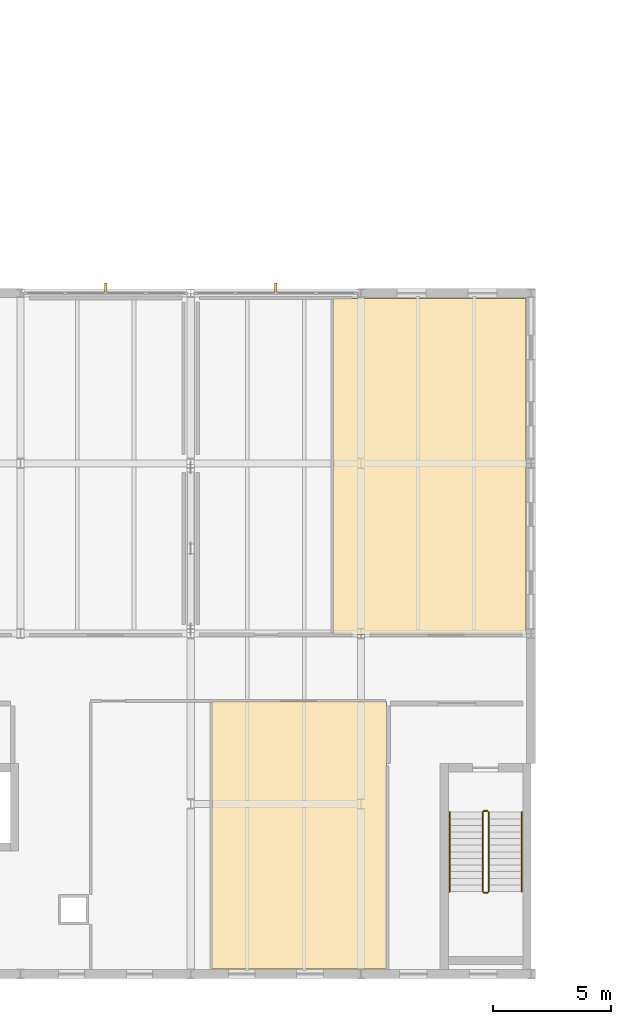
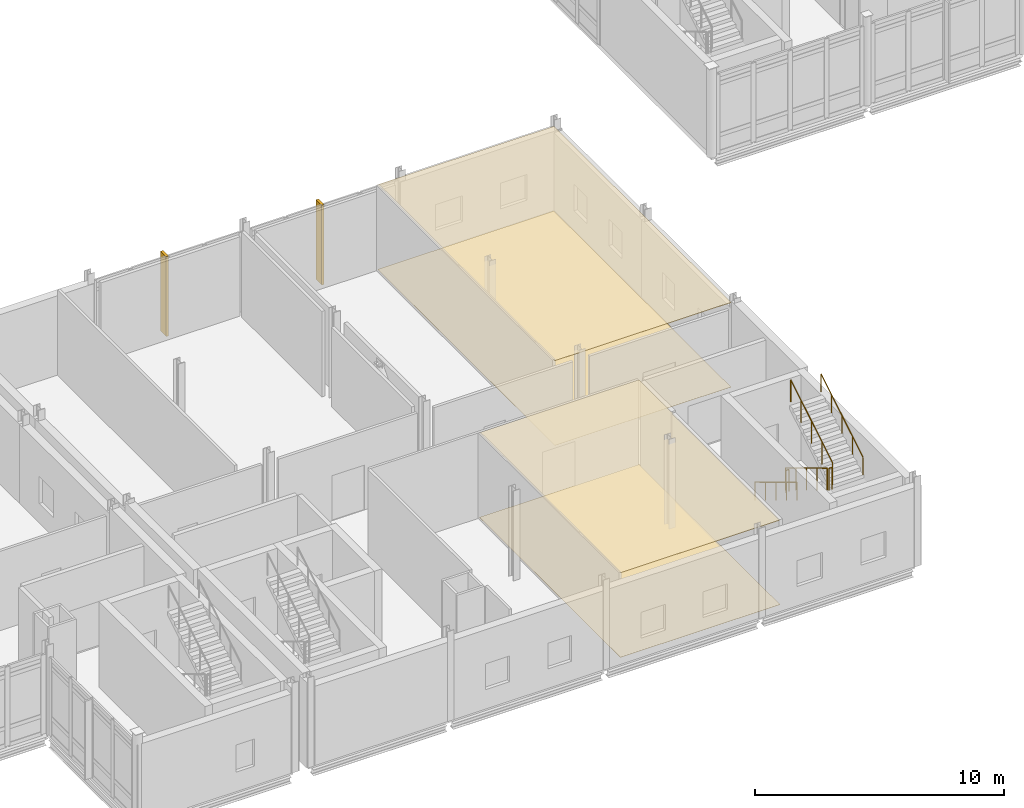
# One storey, part 69 of 76: 6 railings, 4 coverings, 2 shading devices.
"""IFC4 building model written with IfcOpenShell, lengths in metres."""

import ifcopenshell
import ifcopenshell.guid

model = None  # the IFC model being written
_history = None  # IfcOwnerHistory: only IFC2X3 demands one
_inside = {}  # id of a spatial element -> (the spatial element, [elements in it])
_under = {}  # id of a project, library or spatial element -> (it, [spatial elements below it])
_declared = {}  # id of a project -> (the project, [libraries it declares])
_typed = {}  # id of a type object -> (the type object, [elements of that type])
_made_of = {}  # id of a material, layer set ... -> (it, [elements and type objects made of it])


def new_model(schema):
    """Start an empty IFC model of exactly this schema.

    Asked for "IFC4X3", IfcOpenShell would pick the latest addendum, in which some entities
    have other attributes; the version numbers below select the first issue.
    IFC2X3 requires an IfcOwnerHistory on every rooted entity: one is made here for all.
    """
    global model, _history
    if schema == "IFC4X3":
        model = ifcopenshell.file(schema_version=(4, 3, 0, 0))
    else:
        model = ifcopenshell.file(schema=schema)
    _inside.clear()
    _under.clear()
    _declared.clear()
    _typed.clear()
    _made_of.clear()
    _history = None
    if model.schema == "IFC2X3":
        org = make("IfcOrganization", Name="unknown")
        user = make(
            "IfcPersonAndOrganization",
            ThePerson=make("IfcPerson", FamilyName="unknown"),
            TheOrganization=org,
        )
        app = make(
            "IfcApplication",
            ApplicationDeveloper=org,
            Version="unknown",
            ApplicationFullName="unknown",
            ApplicationIdentifier="unknown",
        )
        _history = make(
            "IfcOwnerHistory",
            OwningUser=user,
            OwningApplication=app,
            ChangeAction="ADDED",
            CreationDate=0,
        )
    return model


def make(cls, **values):
    """One entity of the class cls with the attributes given. An attribute that is None is left unset."""
    return model.create_entity(
        cls, **{name: value for name, value in values.items() if value is not None}
    )


def rooted(cls, **values):
    """An entity with a GlobalId (a new one), such as an element, a storey or a relation."""
    return make(cls, GlobalId=ifcopenshell.guid.new(), OwnerHistory=_history, **values)


def si_unit(unit_type, name, prefix=None):
    """IfcSIUnit, for example si_unit("LENGTHUNIT", "METRE", prefix="MILLI")."""
    return make("IfcSIUnit", UnitType=unit_type, Prefix=prefix, Name=name)


def assignment(units):
    """IfcUnitAssignment: the units of a project."""
    return None if units is None else make("IfcUnitAssignment", Units=units)


def point(xyz):
    """IfcCartesianPoint."""
    return None if xyz is None else make("IfcCartesianPoint", Coordinates=xyz)


def direction(xyz):
    """IfcDirection."""
    return None if xyz is None else make("IfcDirection", DirectionRatios=xyz)


def frame(location, z_axis=None, x_axis=None):
    """IfcAxis2Placement3D, a coordinate frame: its origin and axes. An axis left out is left unset."""
    return make(
        "IfcAxis2Placement3D",
        Location=point(location),
        Axis=direction(z_axis),
        RefDirection=direction(x_axis),
    )


def frame_2d(location, x_axis=None):
    """IfcAxis2Placement2D, a coordinate frame in the plane: its origin and x axis."""
    return make(
        "IfcAxis2Placement2D", Location=point(location), RefDirection=direction(x_axis)
    )


def origin():
    """The frame at (0, 0, 0) with its axes left unset."""
    return frame((0.0, 0.0, 0.0))


def origin_2d():
    """The frame at (0, 0) in the plane with its x axis left unset."""
    return frame_2d((0.0, 0.0))


def place(relative_to, where):
    """IfcLocalPlacement: puts the frame where relative to a parent placement (None: the world)."""
    return make(
        "IfcLocalPlacement", PlacementRelTo=relative_to, RelativePlacement=where
    )


def context(
    kind, dimensions, precision=None, world=None, true_north=None, identifier=None
):
    """IfcGeometricRepresentationContext, for example the 3D "Model" context."""
    return make(
        "IfcGeometricRepresentationContext",
        ContextIdentifier=identifier,
        ContextType=kind,
        CoordinateSpaceDimension=dimensions,
        Precision=precision,
        WorldCoordinateSystem=world,
        TrueNorth=true_north,
    )


def subcontext(parent, identifier, kind, view, scale=None):
    """IfcGeometricRepresentationSubContext, for example "Body" below "Model"."""
    return make(
        "IfcGeometricRepresentationSubContext",
        ContextIdentifier=identifier,
        ContextType=kind,
        ParentContext=parent,
        TargetScale=scale,
        TargetView=view,
    )


def project(units=None, contexts=None):
    """IfcProject with its units and contexts."""
    return rooted(
        "IfcProject",
        Name="project",
        RepresentationContexts=contexts,
        UnitsInContext=assignment(units),
    )


def spatial(cls, under=None, at=None, **own):
    """A site, building, storey or space (cls), placed at a placement, below another one or the project."""
    s = rooted(cls, ObjectPlacement=at, **own)
    if under is not None:
        _under.setdefault(under.id(), (under, []))[1].append(s)
    return s


def polyline(points):
    """IfcPolyline through the points."""
    return make("IfcPolyline", Points=[point(p) for p in points])


def profile(cls, at=None, kind="AREA", **sizes):
    """A parametric profile (cls). Its sizes go by their IFC names, for example OverallWidth=200.0."""
    return make(cls, ProfileType=kind, Position=at, **sizes)


def rectangle(**sizes):
    """IfcRectangleProfileDef."""
    return profile("IfcRectangleProfileDef", **sizes)


def circle(**sizes):
    """IfcCircleProfileDef."""
    return profile("IfcCircleProfileDef", **sizes)


def outline(outer, holes=None, kind="AREA"):
    """IfcArbitraryClosedProfileDef: a profile drawn as a closed curve; with holes, ...WithVoids."""
    if holes is None:
        return make("IfcArbitraryClosedProfileDef", ProfileType=kind, OuterCurve=outer)
    return make(
        "IfcArbitraryProfileDefWithVoids",
        ProfileType=kind,
        OuterCurve=outer,
        InnerCurves=holes,
    )


def extrude(swept, where, along, depth):
    """IfcExtrudedAreaSolid: the profile swept, set in the frame where, extruded along a direction by depth."""
    return make(
        "IfcExtrudedAreaSolid",
        SweptArea=swept,
        Position=where,
        ExtrudedDirection=direction(along),
        Depth=depth,
    )


def shape(context_of_items, identifier, shape_type, items):
    """IfcShapeRepresentation: the items that make up one representation, for example the "Body"."""
    return make(
        "IfcShapeRepresentation",
        ContextOfItems=context_of_items,
        RepresentationIdentifier=identifier,
        RepresentationType=shape_type,
        Items=items,
    )


def material(Name=None, Category=None):
    """IfcMaterial."""
    return make("IfcMaterial", Name=Name, Category=Category)


def layer(
    of_material, thickness, ventilated=None, Name=None, Category=None, Priority=None
):
    """IfcMaterialLayer: one layer of a wall or slab, of a material (None: an air gap)."""
    return make(
        "IfcMaterialLayer",
        Material=of_material,
        LayerThickness=thickness,
        IsVentilated=ventilated,
        Name=Name,
        Category=Category,
        Priority=Priority,
    )


def layer_set(layers, Name=None):
    """IfcMaterialLayerSet."""
    return make("IfcMaterialLayerSet", MaterialLayers=layers, LayerSetName=Name)


def made_of(thing, what):
    """Note that an element or type object is made of a material, layer set ...; save() writes the relation."""
    if what is not None:
        _made_of.setdefault(what.id(), (what, []))[1].append(thing)
    return thing


def type_object(cls, material=None, **own):
    """A type object (cls), such as IfcWallType, which elements share."""
    return made_of(rooted(cls, **own), material)


def element(
    cls,
    number,
    at=None,
    inside=None,
    cuts=None,
    type_object=None,
    material=None,
    context=None,
    identifier="Body",
    shape_type=None,
    held_by="IfcProductDefinitionShape",
    body=None,
    shapes=None,
    **own,
):
    """One element of the class cls, such as IfcWall. Its Tag is "e" and its number.

    at: its placement. inside: the storey or other place that contains it. cuts: it is an
    opening in that element (IfcRelVoidsElement). A single representation is given by context,
    identifier, shape_type and body (its items); several are given by shapes. held_by: the class
    of the entity that holds the representations. save() writes the other relations.
    """
    e = rooted(cls, Tag="e%d" % number, ObjectPlacement=at, **own)
    if body is not None:
        shapes = [shape(context, identifier, shape_type, body)]
    if shapes is not None:
        e.Representation = make(held_by, Representations=shapes)
    if inside is not None:
        _inside.setdefault(inside.id(), (inside, []))[1].append(e)
    if cuts is not None:
        rooted(
            "IfcRelVoidsElement", RelatingBuildingElement=cuts, RelatedOpeningElement=e
        )
    if type_object is not None:
        _typed.setdefault(type_object.id(), (type_object, []))[1].append(e)
    return made_of(e, material)


def aggregate(whole, parts):
    """IfcRelAggregates: a whole, such as a stair, and the parts it consists of."""
    return rooted("IfcRelAggregates", RelatingObject=whole, RelatedObjects=parts)


def save(model, path):
    """Write the relations noted so far, then the file.

    IfcRelAggregates (storeys below a building ...), IfcRelContainedInSpatialStructure (elements
    in a storey), IfcRelDefinesByType, IfcRelAssociatesMaterial and IfcRelDeclares: one each for
    every whole, place, type object, material and project.
    """
    for whole, parts in _under.values():
        aggregate(whole, parts)
    for where, things in _inside.values():
        rooted(
            "IfcRelContainedInSpatialStructure",
            RelatedElements=things,
            RelatingStructure=where,
        )
    for kind, things in _typed.values():
        rooted("IfcRelDefinesByType", RelatedObjects=things, RelatingType=kind)
    for what, things in _made_of.values():
        rooted("IfcRelAssociatesMaterial", RelatedObjects=things, RelatingMaterial=what)
    for by, libraries in _declared.values():
        rooted("IfcRelDeclares", RelatingContext=by, RelatedDefinitions=libraries)
    model.write(path)


model = new_model("IFC4")

# Units and contexts
model_context = context("Model", 3, precision=1e-05, world=origin(), true_north=direction((0.0, 1.0)))
body_context = subcontext(model_context, "Body", "Model", "MODEL_VIEW")
ifc_project = project(units=[si_unit("LENGTHUNIT", "METRE"), si_unit("AREAUNIT", "SQUARE_METRE"), si_unit("VOLUMEUNIT", "CUBIC_METRE"), si_unit("PLANEANGLEUNIT", "RADIAN"), si_unit("MASSUNIT", "GRAM", prefix="KILO")], contexts=[model_context])

# Site, building, storey
site_placement = place(None, origin())
site = spatial("IfcSite", under=ifc_project, at=site_placement, CompositionType="ELEMENT")
building_placement = place(site_placement, origin())
building = spatial("IfcBuilding", under=site, at=building_placement, Name="Zarrinpeak Specialist Clinic", CompositionType="ELEMENT")
storey_placement = place(building_placement, frame((0.0, 0.0, 5.199951171875)))
storey = spatial("IfcBuildingStorey", under=building, at=storey_placement, Name="L01", CompositionType="ELEMENT", Elevation=5.199951171875)

# Coverings
ifc_material_1 = material(Name="Hygienic Acoustic Mineral Fibre Tile")
ifc_layer_1 = layer(ifc_material_1, 0.02490234375)
ifc_layer_set_1 = layer_set([ifc_layer_1], Name="Hygienic Acoustic Mineral Fibre Tile")
covering_type_1 = type_object("IfcCoveringType", Name="CV-CEIL-AC", PredefinedType="CEILING", material=ifc_layer_set_1)
covering_1_placement = place(storey_placement, frame((0.0, 0.0, 4.130126953125)))
element("IfcCovering", 1, at=covering_1_placement, inside=storey, type_object=covering_type_1, Name="L01 Endoscopy Procedure Room 1 Hygienic Acoustic Ceiling", PredefinedType="CEILING", context=body_context, shape_type="SweptSolid", body=[
    extrude(outline(polyline([(72.889892578125, 0.219970703125), (80.280029296875, 0.219970703125), (80.280029296875, 11.530029296875), (72.889892578125, 11.530029296875), (72.889892578125, 0.219970703125)])), origin(), (0.0, 0.0, 1.0), 0.02490234375),
])
covering_2_placement = place(storey_placement, frame((0.0, 0.0, 4.130126953125)))
element("IfcCovering", 2, at=covering_2_placement, inside=storey, type_object=covering_type_1, Name="L01 Colonoscopy Procedure Room 2 Hygienic Acoustic Ceiling", PredefinedType="CEILING", context=body_context, shape_type="SweptSolid", body=[
    extrude(outline(polyline([(78.02001953125, 14.3701171875), (86.179931640625, 14.3701171875), (86.179931640625, 28.580078125), (78.02001953125, 28.580078125), (78.02001953125, 14.3701171875)])), origin(), (0.0, 0.0, 1.0), 0.02490234375),
])
ifc_material_2 = material(Name="Homogeneous Antimicrobial Clinical Vinyl")
ifc_layer_2 = layer(ifc_material_2, 0.008056640625)
ifc_layer_set_2 = layer_set([ifc_layer_2], Name="Homogeneous Antimicrobial Clinical Vinyl")
covering_type_2 = type_object("IfcCoveringType", Name="CV-FLR-VN", PredefinedType="FLOORING", material=ifc_layer_set_2)
covering_3_placement = place(storey_placement, frame((0.0, 0.0, 0.0009765625)))
element("IfcCovering", 3, at=covering_3_placement, inside=storey, type_object=covering_type_2, Name="L01 Endoscopy Procedure Room 1 Antimicrobial Vinyl Flooring", PredefinedType="FLOORING", context=body_context, shape_type="SweptSolid", body=[
    extrude(outline(polyline([(72.889892578125, 0.219970703125), (80.280029296875, 0.219970703125), (80.280029296875, 11.530029296875), (72.889892578125, 11.530029296875), (72.889892578125, 0.219970703125)])), origin(), (0.0, 0.0, 1.0), 0.008056640625),
])
covering_4_placement = place(storey_placement, frame((0.0, 0.0, 0.0009765625)))
element("IfcCovering", 4, at=covering_4_placement, inside=storey, type_object=covering_type_2, Name="L01 Colonoscopy Procedure Room 2 Antimicrobial Vinyl Flooring", PredefinedType="FLOORING", context=body_context, shape_type="SweptSolid", body=[
    extrude(outline(polyline([(78.02001953125, 14.3701171875), (86.179931640625, 14.3701171875), (86.179931640625, 28.580078125), (78.02001953125, 28.580078125), (78.02001953125, 14.3701171875)])), origin(), (0.0, 0.0, 1.0), 0.008056640625),
])

# Railings
ifc_material_3 = material(Name="Laminated Safety Glass and Stainless Steel 316", Category="steel")
ifc_layer_3 = layer(ifc_material_3, 0.06005859375)
ifc_layer_set_3 = layer_set([ifc_layer_3], Name="Laminated Safety Glass and Stainless Steel 316")
railing_type_1 = type_object("IfcRailingType", Name="RL-GRD115", PredefinedType="GUARDRAIL", material=ifc_layer_set_3)
railing_1_placement = place(storey_placement, frame((84.35009765625, 6.85009765625, 0.169189453125)))
element("IfcRailing", 5, at=railing_1_placement, inside=storey, type_object=railing_type_1, Name="L01 ST-08 stair guard 1", PredefinedType="GUARDRAIL", context=body_context, shape_type="SweptSolid", body=[
    extrude(circle(Radius=0.02392578125, at=origin_2d()), frame((0.0, 0.0, 1.076171875), z_axis=(0.0, -0.855836976705, 0.517245656632), x_axis=(1.0, 0.0, 0.0)), (0.0, 0.0, 1.0), 3.926025390625),
    extrude(circle(Radius=0.02099609375, at=origin_2d()), origin(), (0.0, 0.0, 1.0), 1.052001953125),
    extrude(circle(Radius=0.02099609375, at=origin_2d()), frame((0.0, -0.840087890625, 0.5078125)), (0.0, 0.0, 1.0), 1.052001953125),
    extrude(circle(Radius=0.02099609375, at=origin_2d()), frame((0.0, -1.68017578125, 1.015380859375)), (0.0, 0.0, 1.0), 1.052001953125),
    extrude(circle(Radius=0.02099609375, at=origin_2d()), frame((0.0, -2.52001953125, 1.52294921875)), (0.0, 0.0, 1.0), 1.052001953125),
    extrude(circle(Radius=0.02099609375, at=origin_2d()), frame((0.0, -3.360107421875, 2.03076171875)), (0.0, 0.0, 1.0), 1.052001953125),
])
railing_2_placement = place(storey_placement, frame((84.39990234375, 3.43994140625, 2.199951171875)))
element("IfcRailing", 6, at=railing_2_placement, inside=storey, type_object=railing_type_1, Name="L01 ST-08 stair guard 2", PredefinedType="GUARDRAIL", context=body_context, shape_type="SweptSolid", body=[
    extrude(circle(Radius=0.02392578125, at=origin_2d()), frame((0.0, 0.0, 1.076171875), z_axis=(1.0, 0.0, 0.0), x_axis=(0.0, 1.0, 0.0)), (0.0, 0.0, 1.0), 0.150146484375),
    extrude(circle(Radius=0.02099609375, at=origin_2d()), origin(), (0.0, 0.0, 1.0), 1.052001953125),
    extrude(circle(Radius=0.02099609375, at=origin_2d()), frame((0.150146484375, 0.0, 0.0)), (0.0, 0.0, 1.0), 1.052001953125),
])
railing_3_placement = place(storey_placement, frame((84.60009765625, 3.489990234375, 2.369384765625)))
element("IfcRailing", 7, at=railing_3_placement, inside=storey, type_object=railing_type_1, Name="L01 ST-08 stair guard 3", PredefinedType="GUARDRAIL", context=body_context, shape_type="SweptSolid", body=[
    extrude(circle(Radius=0.02392578125, at=origin_2d()), frame((0.0, 0.0, 1.076171875), z_axis=(0.0, 0.855836976705, 0.517245656632), x_axis=(-1.0, 0.0, 0.0)), (0.0, 0.0, 1.0), 3.926025390625),
    extrude(circle(Radius=0.02099609375, at=origin_2d()), origin(), (0.0, 0.0, 1.0), 1.052001953125),
    extrude(circle(Radius=0.02099609375, at=origin_2d()), frame((0.0, 0.840087890625, 0.5078125)), (0.0, 0.0, 1.0), 1.052001953125),
    extrude(circle(Radius=0.02099609375, at=origin_2d()), frame((0.0, 1.68017578125, 1.015380859375)), (0.0, 0.0, 1.0), 1.052001953125),
    extrude(circle(Radius=0.02099609375, at=origin_2d()), frame((0.0, 2.52001953125, 1.52294921875)), (0.0, 0.0, 1.0), 1.052001953125),
    extrude(circle(Radius=0.02099609375, at=origin_2d()), frame((0.0, 3.360107421875, 2.03076171875)), (0.0, 0.0, 1.0), 1.052001953125),
])
railing_4_placement = place(storey_placement, frame((84.39990234375, 6.89990234375, 0.0)))
element("IfcRailing", 8, at=railing_4_placement, inside=storey, type_object=railing_type_1, Name="L01 ST-08 stair guard 4", PredefinedType="GUARDRAIL", context=body_context, shape_type="SweptSolid", body=[
    extrude(circle(Radius=0.02392578125, at=origin_2d()), frame((0.0, 0.0, 1.076171875), z_axis=(1.0, 0.0, 0.0), x_axis=(0.0, 1.0, 0.0)), (0.0, 0.0, 1.0), 0.150146484375),
    extrude(circle(Radius=0.02099609375, at=origin_2d()), origin(), (0.0, 0.0, 1.0), 1.052001953125),
    extrude(circle(Radius=0.02099609375, at=origin_2d()), frame((0.150146484375, 0.0, 0.0)), (0.0, 0.0, 1.0), 1.052001953125),
])
ifc_material_4 = material(Name="Brushed Stainless Steel 316 Handrail", Category="steel")
ifc_layer_4 = layer(ifc_material_4, 0.050048828125)
ifc_layer_set_4 = layer_set([ifc_layer_4], Name="Brushed Stainless Steel 316 Handrail")
railing_type_2 = type_object("IfcRailingType", Name="RL-HND92", PredefinedType="HANDRAIL", material=ifc_layer_set_4)
railing_5_placement = place(storey_placement, frame((82.949951171875, 6.85009765625, 0.169189453125)))
element("IfcRailing", 9, at=railing_5_placement, inside=storey, type_object=railing_type_2, Name="L01 ST-08 stair handrail 1", PredefinedType="HANDRAIL", context=body_context, shape_type="SweptSolid", body=[
    extrude(circle(Radius=0.02392578125, at=origin_2d()), frame((0.0, 0.0, 0.8759765625), z_axis=(0.0, -0.855836976705, 0.517245656632), x_axis=(1.0, 0.0, 0.0)), (0.0, 0.0, 1.0), 3.926025390625),
    extrude(circle(Radius=0.02099609375, at=origin_2d()), origin(), (0.0, 0.0, 1.0), 0.851806640625),
    extrude(circle(Radius=0.02099609375, at=origin_2d()), frame((0.0, -0.840087890625, 0.5078125)), (0.0, 0.0, 1.0), 0.851806640625),
    extrude(circle(Radius=0.02099609375, at=origin_2d()), frame((0.0, -1.68017578125, 1.015380859375)), (0.0, 0.0, 1.0), 0.851806640625),
    extrude(circle(Radius=0.02099609375, at=origin_2d()), frame((0.0, -2.52001953125, 1.52294921875)), (0.0, 0.0, 1.0), 0.851806640625),
    extrude(circle(Radius=0.02099609375, at=origin_2d()), frame((0.0, -3.360107421875, 2.03076171875)), (0.0, 0.0, 1.0), 0.851806640625),
])
railing_6_placement = place(storey_placement, frame((86.0, 3.489990234375, 2.369384765625)))
element("IfcRailing", 10, at=railing_6_placement, inside=storey, type_object=railing_type_2, Name="L01 ST-08 stair handrail 2", PredefinedType="HANDRAIL", context=body_context, shape_type="SweptSolid", body=[
    extrude(circle(Radius=0.02392578125, at=origin_2d()), frame((0.0, 0.0, 0.8759765625), z_axis=(0.0, 0.855836976705, 0.517245656632), x_axis=(-1.0, 0.0, 0.0)), (0.0, 0.0, 1.0), 3.926025390625),
    extrude(circle(Radius=0.02099609375, at=origin_2d()), origin(), (0.0, 0.0, 1.0), 0.851806640625),
    extrude(circle(Radius=0.02099609375, at=origin_2d()), frame((0.0, 0.840087890625, 0.5078125)), (0.0, 0.0, 1.0), 0.851806640625),
    extrude(circle(Radius=0.02099609375, at=origin_2d()), frame((0.0, 1.68017578125, 1.015380859375)), (0.0, 0.0, 1.0), 0.851806640625),
    extrude(circle(Radius=0.02099609375, at=origin_2d()), frame((0.0, 2.52001953125, 1.52294921875)), (0.0, 0.0, 1.0), 0.851806640625),
    extrude(circle(Radius=0.02099609375, at=origin_2d()), frame((0.0, 3.360107421875, 2.03076171875)), (0.0, 0.0, 1.0), 0.851806640625),
])

# Shading devices
ifc_material_5 = material(Name="Glulam GL28h", Category="wood")
shading_device_type = type_object("IfcShadingDeviceType", Name="SHD-FIN-GL", PredefinedType="USERDEFINED", material=ifc_material_5)
for number, where, z_axis, x_axis, name in (
    (11, (68.39990234375, 29.0, -0.01513671875), (0.0, 0.0, 1.0), (1.0, 0.0, 0.0), "L01 V4 Cedar-Glulam Courtyard Fin FIN-048"),
    (12, (75.60009765625, 29.0, -0.01513671875), (0.0, 0.0, 1.0), (1.0, 0.0, 0.0), "L01 V4 Cedar-Glulam Courtyard Fin FIN-049"),
):
    element("IfcShadingDevice", number, at=place(storey_placement, frame(where, z_axis=z_axis, x_axis=x_axis)), inside=storey, type_object=shading_device_type, Name=name, ObjectType="SUNSHADE", PredefinedType="USERDEFINED", context=body_context, shape_type="SweptSolid", body=[
        extrude(rectangle(XDim=0.110107421875, YDim=0.449951171875, at=origin_2d()), origin(), (0.0, 0.0, 1.0), 3.909912109375),
    ])

save(model, "model.ifc")
